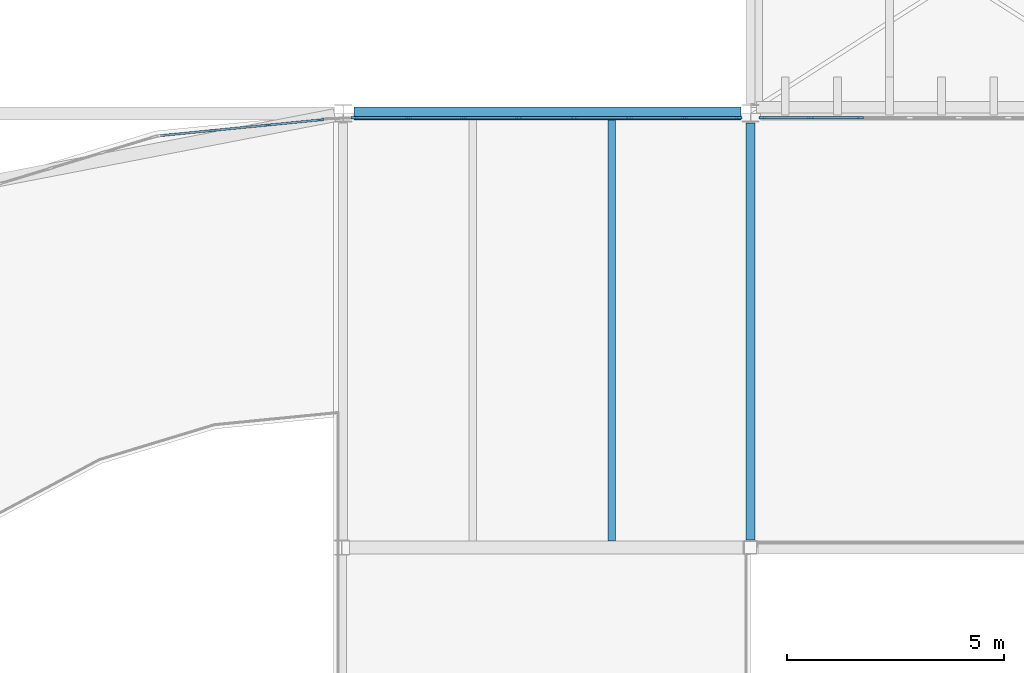
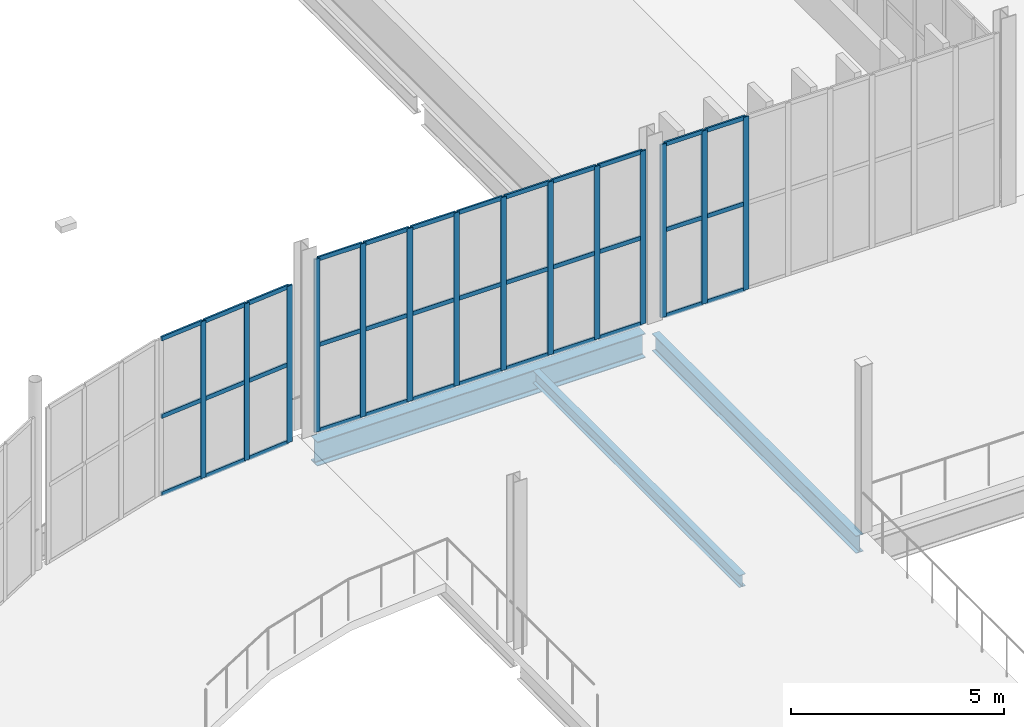
# One storey, part 41 of 112: 50 members, 3 beams, 3 elements without a shape of their own.
"""IFC4 building model written with IfcOpenShell, lengths in metres."""

import ifcopenshell
import ifcopenshell.guid

model = None  # the IFC model being written
_history = None  # IfcOwnerHistory: only IFC2X3 demands one
_inside = {}  # id of a spatial element -> (the spatial element, [elements in it])
_under = {}  # id of a project, library or spatial element -> (it, [spatial elements below it])
_declared = {}  # id of a project -> (the project, [libraries it declares])
_typed = {}  # id of a type object -> (the type object, [elements of that type])
_made_of = {}  # id of a material, layer set ... -> (it, [elements and type objects made of it])


def new_model(schema):
    """Start an empty IFC model of exactly this schema.

    Asked for "IFC4X3", IfcOpenShell would pick the latest addendum, in which some entities
    have other attributes; the version numbers below select the first issue.
    IFC2X3 requires an IfcOwnerHistory on every rooted entity: one is made here for all.
    """
    global model, _history
    if schema == "IFC4X3":
        model = ifcopenshell.file(schema_version=(4, 3, 0, 0))
    else:
        model = ifcopenshell.file(schema=schema)
    _inside.clear()
    _under.clear()
    _declared.clear()
    _typed.clear()
    _made_of.clear()
    _history = None
    if model.schema == "IFC2X3":
        org = make("IfcOrganization", Name="unknown")
        user = make(
            "IfcPersonAndOrganization",
            ThePerson=make("IfcPerson", FamilyName="unknown"),
            TheOrganization=org,
        )
        app = make(
            "IfcApplication",
            ApplicationDeveloper=org,
            Version="unknown",
            ApplicationFullName="unknown",
            ApplicationIdentifier="unknown",
        )
        _history = make(
            "IfcOwnerHistory",
            OwningUser=user,
            OwningApplication=app,
            ChangeAction="ADDED",
            CreationDate=0,
        )
    return model


def make(cls, **values):
    """One entity of the class cls with the attributes given. An attribute that is None is left unset."""
    return model.create_entity(
        cls, **{name: value for name, value in values.items() if value is not None}
    )


def rooted(cls, **values):
    """An entity with a GlobalId (a new one), such as an element, a storey or a relation."""
    return make(cls, GlobalId=ifcopenshell.guid.new(), OwnerHistory=_history, **values)


def si_unit(unit_type, name, prefix=None):
    """IfcSIUnit, for example si_unit("LENGTHUNIT", "METRE", prefix="MILLI")."""
    return make("IfcSIUnit", UnitType=unit_type, Prefix=prefix, Name=name)


def assignment(units):
    """IfcUnitAssignment: the units of a project."""
    return None if units is None else make("IfcUnitAssignment", Units=units)


def point(xyz):
    """IfcCartesianPoint."""
    return None if xyz is None else make("IfcCartesianPoint", Coordinates=xyz)


def direction(xyz):
    """IfcDirection."""
    return None if xyz is None else make("IfcDirection", DirectionRatios=xyz)


def frame(location, z_axis=None, x_axis=None):
    """IfcAxis2Placement3D, a coordinate frame: its origin and axes. An axis left out is left unset."""
    return make(
        "IfcAxis2Placement3D",
        Location=point(location),
        Axis=direction(z_axis),
        RefDirection=direction(x_axis),
    )


def frame_2d(location, x_axis=None):
    """IfcAxis2Placement2D, a coordinate frame in the plane: its origin and x axis."""
    return make(
        "IfcAxis2Placement2D", Location=point(location), RefDirection=direction(x_axis)
    )


def origin():
    """The frame at (0, 0, 0) with its axes left unset."""
    return frame((0.0, 0.0, 0.0))


def origin_2d():
    """The frame at (0, 0) in the plane with its x axis left unset."""
    return frame_2d((0.0, 0.0))


def place(relative_to, where):
    """IfcLocalPlacement: puts the frame where relative to a parent placement (None: the world)."""
    return make(
        "IfcLocalPlacement", PlacementRelTo=relative_to, RelativePlacement=where
    )


def context(
    kind, dimensions, precision=None, world=None, true_north=None, identifier=None
):
    """IfcGeometricRepresentationContext, for example the 3D "Model" context."""
    return make(
        "IfcGeometricRepresentationContext",
        ContextIdentifier=identifier,
        ContextType=kind,
        CoordinateSpaceDimension=dimensions,
        Precision=precision,
        WorldCoordinateSystem=world,
        TrueNorth=true_north,
    )


def subcontext(parent, identifier, kind, view, scale=None):
    """IfcGeometricRepresentationSubContext, for example "Body" below "Model"."""
    return make(
        "IfcGeometricRepresentationSubContext",
        ContextIdentifier=identifier,
        ContextType=kind,
        ParentContext=parent,
        TargetScale=scale,
        TargetView=view,
    )


def project(units=None, contexts=None):
    """IfcProject with its units and contexts."""
    return rooted(
        "IfcProject",
        Name="project",
        RepresentationContexts=contexts,
        UnitsInContext=assignment(units),
    )


def spatial(cls, under=None, at=None, **own):
    """A site, building, storey or space (cls), placed at a placement, below another one or the project."""
    s = rooted(cls, ObjectPlacement=at, **own)
    if under is not None:
        _under.setdefault(under.id(), (under, []))[1].append(s)
    return s


def profile(cls, at=None, kind="AREA", **sizes):
    """A parametric profile (cls). Its sizes go by their IFC names, for example OverallWidth=200.0."""
    return make(cls, ProfileType=kind, Position=at, **sizes)


def rectangle(**sizes):
    """IfcRectangleProfileDef."""
    return profile("IfcRectangleProfileDef", **sizes)


def i_section(**sizes):
    """IfcIShapeProfileDef."""
    return profile("IfcIShapeProfileDef", **sizes)


def extrude(swept, where, along, depth):
    """IfcExtrudedAreaSolid: the profile swept, set in the frame where, extruded along a direction by depth."""
    return make(
        "IfcExtrudedAreaSolid",
        SweptArea=swept,
        Position=where,
        ExtrudedDirection=direction(along),
        Depth=depth,
    )


def shape(context_of_items, identifier, shape_type, items):
    """IfcShapeRepresentation: the items that make up one representation, for example the "Body"."""
    return make(
        "IfcShapeRepresentation",
        ContextOfItems=context_of_items,
        RepresentationIdentifier=identifier,
        RepresentationType=shape_type,
        Items=items,
    )


def material(Name=None, Category=None):
    """IfcMaterial."""
    return make("IfcMaterial", Name=Name, Category=Category)


def layer(
    of_material, thickness, ventilated=None, Name=None, Category=None, Priority=None
):
    """IfcMaterialLayer: one layer of a wall or slab, of a material (None: an air gap)."""
    return make(
        "IfcMaterialLayer",
        Material=of_material,
        LayerThickness=thickness,
        IsVentilated=ventilated,
        Name=Name,
        Category=Category,
        Priority=Priority,
    )


def layer_set(layers, Name=None):
    """IfcMaterialLayerSet."""
    return make("IfcMaterialLayerSet", MaterialLayers=layers, LayerSetName=Name)


def material_profile(
    of_material, cross_section, Name=None, Category=None, Priority=None
):
    """IfcMaterialProfile: a cross section and its material."""
    return make(
        "IfcMaterialProfile",
        Name=Name,
        Material=of_material,
        Profile=cross_section,
        Priority=Priority,
        Category=Category,
    )


def profile_set(profiles, Name=None, composite=None):
    """IfcMaterialProfileSet."""
    return make(
        "IfcMaterialProfileSet",
        Name=Name,
        MaterialProfiles=profiles,
        CompositeProfile=composite,
    )


def made_of(thing, what):
    """Note that an element or type object is made of a material, layer set ...; save() writes the relation."""
    if what is not None:
        _made_of.setdefault(what.id(), (what, []))[1].append(thing)
    return thing


def type_object(cls, material=None, **own):
    """A type object (cls), such as IfcWallType, which elements share."""
    return made_of(rooted(cls, **own), material)


def element(
    cls,
    number,
    at=None,
    inside=None,
    cuts=None,
    type_object=None,
    material=None,
    context=None,
    identifier="Body",
    shape_type=None,
    held_by="IfcProductDefinitionShape",
    body=None,
    shapes=None,
    **own,
):
    """One element of the class cls, such as IfcWall. Its Tag is "e" and its number.

    at: its placement. inside: the storey or other place that contains it. cuts: it is an
    opening in that element (IfcRelVoidsElement). A single representation is given by context,
    identifier, shape_type and body (its items); several are given by shapes. held_by: the class
    of the entity that holds the representations. save() writes the other relations.
    """
    e = rooted(cls, Tag="e%d" % number, ObjectPlacement=at, **own)
    if body is not None:
        shapes = [shape(context, identifier, shape_type, body)]
    if shapes is not None:
        e.Representation = make(held_by, Representations=shapes)
    if inside is not None:
        _inside.setdefault(inside.id(), (inside, []))[1].append(e)
    if cuts is not None:
        rooted(
            "IfcRelVoidsElement", RelatingBuildingElement=cuts, RelatedOpeningElement=e
        )
    if type_object is not None:
        _typed.setdefault(type_object.id(), (type_object, []))[1].append(e)
    return made_of(e, material)


def aggregate(whole, parts):
    """IfcRelAggregates: a whole, such as a stair, and the parts it consists of."""
    return rooted("IfcRelAggregates", RelatingObject=whole, RelatedObjects=parts)


def save(model, path):
    """Write the relations noted so far, then the file.

    IfcRelAggregates (storeys below a building ...), IfcRelContainedInSpatialStructure (elements
    in a storey), IfcRelDefinesByType, IfcRelAssociatesMaterial and IfcRelDeclares: one each for
    every whole, place, type object, material and project.
    """
    for whole, parts in _under.values():
        aggregate(whole, parts)
    for where, things in _inside.values():
        rooted(
            "IfcRelContainedInSpatialStructure",
            RelatedElements=things,
            RelatingStructure=where,
        )
    for kind, things in _typed.values():
        rooted("IfcRelDefinesByType", RelatedObjects=things, RelatingType=kind)
    for what, things in _made_of.values():
        rooted("IfcRelAssociatesMaterial", RelatedObjects=things, RelatingMaterial=what)
    for by, libraries in _declared.values():
        rooted("IfcRelDeclares", RelatingContext=by, RelatedDefinitions=libraries)
    model.write(path)


model = new_model("IFC4")

# Units and contexts
model_context = context("Model", 3, precision=1e-05, world=origin(), true_north=direction((0.0, 1.0)))
body_context = subcontext(model_context, "Body", "Model", "MODEL_VIEW")
ifc_project = project(units=[si_unit("LENGTHUNIT", "METRE"), si_unit("AREAUNIT", "SQUARE_METRE"), si_unit("VOLUMEUNIT", "CUBIC_METRE"), si_unit("PLANEANGLEUNIT", "RADIAN"), si_unit("MASSUNIT", "GRAM", prefix="KILO")], contexts=[model_context])

# Site, building, storey
site_placement = place(None, origin())
site = spatial("IfcSite", under=ifc_project, at=site_placement, CompositionType="ELEMENT")
building_placement = place(site_placement, origin())
building = spatial("IfcBuilding", under=site, at=building_placement, Name="Yeouljin Market Hall", CompositionType="ELEMENT")
storey_placement = place(building_placement, frame((0.0, 0.0, 6.0)))
storey = spatial("IfcBuildingStorey", under=building, at=storey_placement, Name="L01", CompositionType="ELEMENT", Elevation=6.0)

# Beam
ifc_material_1 = material(Name="Steel SM355", Category="steel")
ifc_material_profile_1 = material_profile(ifc_material_1, i_section(OverallWidth=0.199951171875, OverallDepth=0.5, WebThickness=0.010009765625, FlangeThickness=0.01611328125, FilletRadius=0.02001953125, at=origin_2d()), Name="H-500x200x10x16")
ifc_profile_set_1 = profile_set([ifc_material_profile_1], Name="Steel SM355")
beam_type_1 = type_object("IfcBeamType", Name="Beam_H-500x200x10x16", PredefinedType="BEAM", material=ifc_profile_set_1)
beam_1_placement = place(storey_placement, frame((45.0, 68.175048828125, -0.52001953125), z_axis=(0.0, 1.0, 0.0), x_axis=(-1.0, 0.0, 0.0)))
element("IfcBeam", 1, at=beam_1_placement, inside=storey, type_object=beam_type_1, Name="Primary beam BM-L01-Y157", PredefinedType="BEAM", context=body_context, shape_type="SweptSolid", body=[
    extrude(i_section(OverallWidth=0.199951171875, OverallDepth=0.5, WebThickness=0.010009765625, FlangeThickness=0.01611328125, FilletRadius=0.02001953125, at=origin_2d()), origin(), (0.0, 0.0, 1.0), 9.599853515625),
])

# Curtain wall, members
ifc_material_2 = material(Name="Thermally Broken Aluminium", Category="aluminium")
ifc_layer_1 = layer(ifc_material_2, 0.159912109375)
ifc_layer_set_1 = layer_set([ifc_layer_1], Name="Thermally Broken Aluminium")
curtain_wall_type_1 = type_object("IfcCurtainWallType", Name="CW_HallClerestory_System", PredefinedType="USERDEFINED", material=ifc_layer_set_1)
curtain_wall_1_placement = place(storey_placement, origin())
curtain_wall_1 = element("IfcCurtainWall", 2, at=curtain_wall_1_placement, inside=storey, type_object=curtain_wall_type_1, Name="Curtain wall CW-V1N-UP-01", ObjectType="CURTAIN WALL", PredefinedType="USERDEFINED")
ifc_material_3 = material(Name="Thermally Broken Aluminium", Category="aluminium")
ifc_material_profile_2 = material_profile(ifc_material_3, rectangle(XDim=0.048095703125, YDim=0.14990234375, at=origin_2d()), Name="CW-MULL-48x150")
ifc_profile_set_2 = profile_set([ifc_material_profile_2], Name="Thermally Broken Aluminium")
member_type_1 = type_object("IfcMemberType", Name="CWMullion_48x150", PredefinedType="MULLION", material=ifc_profile_set_2)
member_1_placement = place(storey_placement, frame((35.8740234375, 77.89990234375, 0.0), z_axis=(0.0, 0.0, 1.0), x_axis=(0.0, 1.0, 0.0)))
member_1 = element("IfcMember", 3, at=member_1_placement, type_object=member_type_1, Name="CW-02 mullion 1", PredefinedType="MULLION", context=body_context, shape_type="SweptSolid", body=[
    extrude(rectangle(XDim=0.048095703125, YDim=0.14990234375, at=origin_2d()), origin(), (0.0, 0.0, 1.0), 4.969970703125),
])
member_2_placement = place(storey_placement, frame((37.121337890625, 77.89990234375, 0.0), z_axis=(0.0, 0.0, 1.0), x_axis=(0.0, 1.0, 0.0)))
member_2 = element("IfcMember", 4, at=member_2_placement, type_object=member_type_1, Name="CW-02 mullion 2", PredefinedType="MULLION", context=body_context, shape_type="SweptSolid", body=[
    extrude(rectangle(XDim=0.048095703125, YDim=0.14990234375, at=origin_2d()), origin(), (0.0, 0.0, 1.0), 4.969970703125),
])
member_3_placement = place(storey_placement, frame((38.392822265625, 77.89990234375, 0.0), z_axis=(0.0, 0.0, 1.0), x_axis=(0.0, 1.0, 0.0)))
member_3 = element("IfcMember", 5, at=member_3_placement, type_object=member_type_1, Name="CW-02 mullion 3", PredefinedType="MULLION", context=body_context, shape_type="SweptSolid", body=[
    extrude(rectangle(XDim=0.048095703125, YDim=0.14990234375, at=origin_2d()), origin(), (0.0, 0.0, 1.0), 4.969970703125),
])
member_4_placement = place(storey_placement, frame((39.664306640625, 77.89990234375, 0.0), z_axis=(0.0, 0.0, 1.0), x_axis=(0.0, 1.0, 0.0)))
member_4 = element("IfcMember", 6, at=member_4_placement, type_object=member_type_1, Name="CW-02 mullion 4", PredefinedType="MULLION", context=body_context, shape_type="SweptSolid", body=[
    extrude(rectangle(XDim=0.048095703125, YDim=0.14990234375, at=origin_2d()), origin(), (0.0, 0.0, 1.0), 4.969970703125),
])
member_5_placement = place(storey_placement, frame((40.935791015625, 77.89990234375, 0.0), z_axis=(0.0, 0.0, 1.0), x_axis=(0.0, 1.0, 0.0)))
member_5 = element("IfcMember", 7, at=member_5_placement, type_object=member_type_1, Name="CW-02 mullion 5", PredefinedType="MULLION", context=body_context, shape_type="SweptSolid", body=[
    extrude(rectangle(XDim=0.048095703125, YDim=0.14990234375, at=origin_2d()), origin(), (0.0, 0.0, 1.0), 4.969970703125),
])
member_6_placement = place(storey_placement, frame((42.20703125, 77.89990234375, 0.0), z_axis=(0.0, 0.0, 1.0), x_axis=(0.0, 1.0, 0.0)))
member_6 = element("IfcMember", 8, at=member_6_placement, type_object=member_type_1, Name="CW-02 mullion 6", PredefinedType="MULLION", context=body_context, shape_type="SweptSolid", body=[
    extrude(rectangle(XDim=0.048095703125, YDim=0.14990234375, at=origin_2d()), origin(), (0.0, 0.0, 1.0), 4.969970703125),
])
member_7_placement = place(storey_placement, frame((43.478515625, 77.89990234375, 0.0), z_axis=(0.0, 0.0, 1.0), x_axis=(0.0, 1.0, 0.0)))
member_7 = element("IfcMember", 9, at=member_7_placement, type_object=member_type_1, Name="CW-02 mullion 7", PredefinedType="MULLION", context=body_context, shape_type="SweptSolid", body=[
    extrude(rectangle(XDim=0.048095703125, YDim=0.14990234375, at=origin_2d()), origin(), (0.0, 0.0, 1.0), 4.969970703125),
])
member_8_placement = place(storey_placement, frame((44.72607421875, 77.89990234375, 0.0), z_axis=(0.0, 0.0, 1.0), x_axis=(0.0, 1.0, 0.0)))
member_8 = element("IfcMember", 10, at=member_8_placement, type_object=member_type_1, Name="CW-02 mullion 8", PredefinedType="MULLION", context=body_context, shape_type="SweptSolid", body=[
    extrude(rectangle(XDim=0.048095703125, YDim=0.14990234375, at=origin_2d()), origin(), (0.0, 0.0, 1.0), 4.969970703125),
])

curtain_wall_2_placement = place(storey_placement, origin())
curtain_wall_2 = element("IfcCurtainWall", 11, at=curtain_wall_2_placement, inside=storey, type_object=curtain_wall_type_1, Name="Curtain wall CW-V1N-UP-02", ObjectType="CURTAIN WALL", PredefinedType="USERDEFINED")
member_9_placement = place(storey_placement, frame((45.27392578125, 77.89990234375, 0.0), z_axis=(0.0, 0.0, 1.0), x_axis=(0.0, 1.0, 0.0)))
member_9 = element("IfcMember", 12, at=member_9_placement, type_object=member_type_1, Name="CW-02 mullion 1", PredefinedType="MULLION", context=body_context, shape_type="SweptSolid", body=[
    extrude(rectangle(XDim=0.048095703125, YDim=0.14990234375, at=origin_2d()), origin(), (0.0, 0.0, 1.0), 4.969970703125),
])
member_10_placement = place(storey_placement, frame((46.387451171875, 77.89990234375, 0.0), z_axis=(0.0, 0.0, 1.0), x_axis=(0.0, 1.0, 0.0)))
member_10 = element("IfcMember", 13, at=member_10_placement, type_object=member_type_1, Name="CW-02 mullion 2", PredefinedType="MULLION", context=body_context, shape_type="SweptSolid", body=[
    extrude(rectangle(XDim=0.048095703125, YDim=0.14990234375, at=origin_2d()), origin(), (0.0, 0.0, 1.0), 4.969970703125),
])
member_11_placement = place(storey_placement, frame((47.52490234375, 77.89990234375, 0.0), z_axis=(0.0, 0.0, 1.0), x_axis=(0.0, 1.0, 0.0)))
member_11 = element("IfcMember", 14, at=member_11_placement, type_object=member_type_1, Name="CW-02 mullion 3", PredefinedType="MULLION", context=body_context, shape_type="SweptSolid", body=[
    extrude(rectangle(XDim=0.048095703125, YDim=0.14990234375, at=origin_2d()), origin(), (0.0, 0.0, 1.0), 4.969970703125),
])

ifc_material_4 = material(Name="Thermally Broken Aluminium", Category="aluminium")
ifc_layer_2 = layer(ifc_material_4, 0.179931640625)
ifc_layer_set_2 = layer_set([ifc_layer_2], Name="Thermally Broken Aluminium")
curtain_wall_type_2 = type_object("IfcCurtainWallType", Name="CW_ApseCurved_System", PredefinedType="USERDEFINED", material=ifc_layer_set_2)
curtain_wall_3_placement = place(storey_placement, origin())
curtain_wall_3 = element("IfcCurtainWall", 15, at=curtain_wall_3_placement, inside=storey, type_object=curtain_wall_type_2, Name="Curtain wall CW-AP-WL01-16", ObjectType="CURTAIN WALL", PredefinedType="USERDEFINED")
member_12_placement = place(storey_placement, frame((32.617919921875, 77.60595703125, 0.0), z_axis=(0.0, 0.0, 1.0), x_axis=(-0.09803414403, 0.995183051807, 0.0)))
member_12 = element("IfcMember", 16, at=member_12_placement, type_object=member_type_1, Name="CW-03 mullion 2", PredefinedType="MULLION", context=body_context, shape_type="SweptSolid", body=[
    extrude(rectangle(XDim=0.048095703125, YDim=0.14990234375, at=origin_2d()), origin(), (0.0, 0.0, 1.0), 4.5),
])
member_13_placement = place(storey_placement, frame((33.86962890625, 77.729248046875, 0.0), z_axis=(0.0, 0.0, 1.0), x_axis=(-0.09803414403, 0.995183051807, 0.0)))
member_13 = element("IfcMember", 17, at=member_13_placement, type_object=member_type_1, Name="CW-03 mullion 3", PredefinedType="MULLION", context=body_context, shape_type="SweptSolid", body=[
    extrude(rectangle(XDim=0.048095703125, YDim=0.14990234375, at=origin_2d()), origin(), (0.0, 0.0, 1.0), 4.5),
])
member_14_placement = place(storey_placement, frame((35.097412109375, 77.850341796875, 0.0), z_axis=(0.0, 0.0, 1.0), x_axis=(-0.09803414403, 0.995183051807, 0.0)))
member_14 = element("IfcMember", 18, at=member_14_placement, type_object=member_type_1, Name="CW-03 mullion 4", PredefinedType="MULLION", context=body_context, shape_type="SweptSolid", body=[
    extrude(rectangle(XDim=0.048095703125, YDim=0.14990234375, at=origin_2d()), origin(), (0.0, 0.0, 1.0), 4.5),
])

# Member
ifc_material_5 = material(Name="Thermally Broken Aluminium", Category="aluminium")
ifc_material_profile_3 = material_profile(ifc_material_5, rectangle(XDim=0.048095703125, YDim=0.1201171875, at=origin_2d()), Name="CW-TRAN-48x120")
ifc_profile_set_3 = profile_set([ifc_material_profile_3], Name="Thermally Broken Aluminium")
member_type_2 = type_object("IfcMemberType", Name="CWTransom_48x120", PredefinedType="USERDEFINED", material=ifc_profile_set_3)
member_15_placement = place(storey_placement, frame((35.89794921875, 77.89990234375, 0.02392578125), z_axis=(1.0, 0.0, 0.0), x_axis=(0.0, 1.0, 0.0)))
member_15 = element("IfcMember", 19, at=member_15_placement, type_object=member_type_2, Name="CW-02 transom 1.1", ObjectType="TRANSOM", PredefinedType="USERDEFINED", context=body_context, shape_type="SweptSolid", body=[
    extrude(rectangle(XDim=0.048095703125, YDim=0.1201171875, at=origin_2d()), origin(), (0.0, 0.0, 1.0), 1.199462890625),
])

member_16_placement = place(storey_placement, frame((35.89794921875, 77.89990234375, 2.485107421875), z_axis=(1.0, 0.0, 0.0), x_axis=(0.0, 1.0, 0.0)))
member_16 = element("IfcMember", 20, at=member_16_placement, type_object=member_type_2, Name="CW-02 transom 1.2", ObjectType="TRANSOM", PredefinedType="USERDEFINED", context=body_context, shape_type="SweptSolid", body=[
    extrude(rectangle(XDim=0.048095703125, YDim=0.1201171875, at=origin_2d()), origin(), (0.0, 0.0, 1.0), 1.199462890625),
])

member_17_placement = place(storey_placement, frame((35.89794921875, 77.89990234375, 4.946044921875), z_axis=(1.0, 0.0, 0.0), x_axis=(0.0, 1.0, 0.0)))
member_17 = element("IfcMember", 21, at=member_17_placement, type_object=member_type_2, Name="CW-02 transom 1.3", ObjectType="TRANSOM", PredefinedType="USERDEFINED", context=body_context, shape_type="SweptSolid", body=[
    extrude(rectangle(XDim=0.048095703125, YDim=0.1201171875, at=origin_2d()), origin(), (0.0, 0.0, 1.0), 1.199462890625),
])

member_18_placement = place(storey_placement, frame((37.1455078125, 77.89990234375, 0.02392578125), z_axis=(1.0, 0.0, 0.0), x_axis=(0.0, 1.0, 0.0)))
member_18 = element("IfcMember", 22, at=member_18_placement, type_object=member_type_2, Name="CW-02 transom 2.1", ObjectType="TRANSOM", PredefinedType="USERDEFINED", context=body_context, shape_type="SweptSolid", body=[
    extrude(rectangle(XDim=0.048095703125, YDim=0.1201171875, at=origin_2d()), origin(), (0.0, 0.0, 1.0), 1.223388671875),
])

member_19_placement = place(storey_placement, frame((37.1455078125, 77.89990234375, 2.485107421875), z_axis=(1.0, 0.0, 0.0), x_axis=(0.0, 1.0, 0.0)))
member_19 = element("IfcMember", 23, at=member_19_placement, type_object=member_type_2, Name="CW-02 transom 2.2", ObjectType="TRANSOM", PredefinedType="USERDEFINED", context=body_context, shape_type="SweptSolid", body=[
    extrude(rectangle(XDim=0.048095703125, YDim=0.1201171875, at=origin_2d()), origin(), (0.0, 0.0, 1.0), 1.223388671875),
])

member_20_placement = place(storey_placement, frame((37.1455078125, 77.89990234375, 4.946044921875), z_axis=(1.0, 0.0, 0.0), x_axis=(0.0, 1.0, 0.0)))
member_20 = element("IfcMember", 24, at=member_20_placement, type_object=member_type_2, Name="CW-02 transom 2.3", ObjectType="TRANSOM", PredefinedType="USERDEFINED", context=body_context, shape_type="SweptSolid", body=[
    extrude(rectangle(XDim=0.048095703125, YDim=0.1201171875, at=origin_2d()), origin(), (0.0, 0.0, 1.0), 1.223388671875),
])

member_21_placement = place(storey_placement, frame((38.416748046875, 77.89990234375, 0.02392578125), z_axis=(1.0, 0.0, 0.0), x_axis=(0.0, 1.0, 0.0)))
member_21 = element("IfcMember", 25, at=member_21_placement, type_object=member_type_2, Name="CW-02 transom 3.1", ObjectType="TRANSOM", PredefinedType="USERDEFINED", context=body_context, shape_type="SweptSolid", body=[
    extrude(rectangle(XDim=0.048095703125, YDim=0.1201171875, at=origin_2d()), origin(), (0.0, 0.0, 1.0), 1.2236328125),
])

member_22_placement = place(storey_placement, frame((38.416748046875, 77.89990234375, 2.485107421875), z_axis=(1.0, 0.0, 0.0), x_axis=(0.0, 1.0, 0.0)))
member_22 = element("IfcMember", 26, at=member_22_placement, type_object=member_type_2, Name="CW-02 transom 3.2", ObjectType="TRANSOM", PredefinedType="USERDEFINED", context=body_context, shape_type="SweptSolid", body=[
    extrude(rectangle(XDim=0.048095703125, YDim=0.1201171875, at=origin_2d()), origin(), (0.0, 0.0, 1.0), 1.2236328125),
])

member_23_placement = place(storey_placement, frame((38.416748046875, 77.89990234375, 4.946044921875), z_axis=(1.0, 0.0, 0.0), x_axis=(0.0, 1.0, 0.0)))
member_23 = element("IfcMember", 27, at=member_23_placement, type_object=member_type_2, Name="CW-02 transom 3.3", ObjectType="TRANSOM", PredefinedType="USERDEFINED", context=body_context, shape_type="SweptSolid", body=[
    extrude(rectangle(XDim=0.048095703125, YDim=0.1201171875, at=origin_2d()), origin(), (0.0, 0.0, 1.0), 1.2236328125),
])

member_24_placement = place(storey_placement, frame((39.688232421875, 77.89990234375, 0.02392578125), z_axis=(1.0, 0.0, 0.0), x_axis=(0.0, 1.0, 0.0)))
member_24 = element("IfcMember", 28, at=member_24_placement, type_object=member_type_2, Name="CW-02 transom 4.1", ObjectType="TRANSOM", PredefinedType="USERDEFINED", context=body_context, shape_type="SweptSolid", body=[
    extrude(rectangle(XDim=0.048095703125, YDim=0.1201171875, at=origin_2d()), origin(), (0.0, 0.0, 1.0), 1.223388671875),
])

member_25_placement = place(storey_placement, frame((39.688232421875, 77.89990234375, 2.485107421875), z_axis=(1.0, 0.0, 0.0), x_axis=(0.0, 1.0, 0.0)))
member_25 = element("IfcMember", 29, at=member_25_placement, type_object=member_type_2, Name="CW-02 transom 4.2", ObjectType="TRANSOM", PredefinedType="USERDEFINED", context=body_context, shape_type="SweptSolid", body=[
    extrude(rectangle(XDim=0.048095703125, YDim=0.1201171875, at=origin_2d()), origin(), (0.0, 0.0, 1.0), 1.223388671875),
])

member_26_placement = place(storey_placement, frame((39.688232421875, 77.89990234375, 4.946044921875), z_axis=(1.0, 0.0, 0.0), x_axis=(0.0, 1.0, 0.0)))
member_26 = element("IfcMember", 30, at=member_26_placement, type_object=member_type_2, Name="CW-02 transom 4.3", ObjectType="TRANSOM", PredefinedType="USERDEFINED", context=body_context, shape_type="SweptSolid", body=[
    extrude(rectangle(XDim=0.048095703125, YDim=0.1201171875, at=origin_2d()), origin(), (0.0, 0.0, 1.0), 1.223388671875),
])

member_27_placement = place(storey_placement, frame((40.959716796875, 77.89990234375, 0.02392578125), z_axis=(1.0, 0.0, 0.0), x_axis=(0.0, 1.0, 0.0)))
member_27 = element("IfcMember", 31, at=member_27_placement, type_object=member_type_2, Name="CW-02 transom 5.1", ObjectType="TRANSOM", PredefinedType="USERDEFINED", context=body_context, shape_type="SweptSolid", body=[
    extrude(rectangle(XDim=0.048095703125, YDim=0.1201171875, at=origin_2d()), origin(), (0.0, 0.0, 1.0), 1.223388671875),
])

member_28_placement = place(storey_placement, frame((40.959716796875, 77.89990234375, 2.485107421875), z_axis=(1.0, 0.0, 0.0), x_axis=(0.0, 1.0, 0.0)))
member_28 = element("IfcMember", 32, at=member_28_placement, type_object=member_type_2, Name="CW-02 transom 5.2", ObjectType="TRANSOM", PredefinedType="USERDEFINED", context=body_context, shape_type="SweptSolid", body=[
    extrude(rectangle(XDim=0.048095703125, YDim=0.1201171875, at=origin_2d()), origin(), (0.0, 0.0, 1.0), 1.223388671875),
])

member_29_placement = place(storey_placement, frame((40.959716796875, 77.89990234375, 4.946044921875), z_axis=(1.0, 0.0, 0.0), x_axis=(0.0, 1.0, 0.0)))
member_29 = element("IfcMember", 33, at=member_29_placement, type_object=member_type_2, Name="CW-02 transom 5.3", ObjectType="TRANSOM", PredefinedType="USERDEFINED", context=body_context, shape_type="SweptSolid", body=[
    extrude(rectangle(XDim=0.048095703125, YDim=0.1201171875, at=origin_2d()), origin(), (0.0, 0.0, 1.0), 1.223388671875),
])

member_30_placement = place(storey_placement, frame((42.231201171875, 77.89990234375, 0.02392578125), z_axis=(1.0, 0.0, 0.0), x_axis=(0.0, 1.0, 0.0)))
member_30 = element("IfcMember", 34, at=member_30_placement, type_object=member_type_2, Name="CW-02 transom 6.1", ObjectType="TRANSOM", PredefinedType="USERDEFINED", context=body_context, shape_type="SweptSolid", body=[
    extrude(rectangle(XDim=0.048095703125, YDim=0.1201171875, at=origin_2d()), origin(), (0.0, 0.0, 1.0), 1.223388671875),
])

member_31_placement = place(storey_placement, frame((42.231201171875, 77.89990234375, 2.485107421875), z_axis=(1.0, 0.0, 0.0), x_axis=(0.0, 1.0, 0.0)))
member_31 = element("IfcMember", 35, at=member_31_placement, type_object=member_type_2, Name="CW-02 transom 6.2", ObjectType="TRANSOM", PredefinedType="USERDEFINED", context=body_context, shape_type="SweptSolid", body=[
    extrude(rectangle(XDim=0.048095703125, YDim=0.1201171875, at=origin_2d()), origin(), (0.0, 0.0, 1.0), 1.223388671875),
])

member_32_placement = place(storey_placement, frame((42.231201171875, 77.89990234375, 4.946044921875), z_axis=(1.0, 0.0, 0.0), x_axis=(0.0, 1.0, 0.0)))
member_32 = element("IfcMember", 36, at=member_32_placement, type_object=member_type_2, Name="CW-02 transom 6.3", ObjectType="TRANSOM", PredefinedType="USERDEFINED", context=body_context, shape_type="SweptSolid", body=[
    extrude(rectangle(XDim=0.048095703125, YDim=0.1201171875, at=origin_2d()), origin(), (0.0, 0.0, 1.0), 1.223388671875),
])

member_33_placement = place(storey_placement, frame((43.502685546875, 77.89990234375, 0.02392578125), z_axis=(1.0, 0.0, 0.0), x_axis=(0.0, 1.0, 0.0)))
member_33 = element("IfcMember", 37, at=member_33_placement, type_object=member_type_2, Name="CW-02 transom 7.1", ObjectType="TRANSOM", PredefinedType="USERDEFINED", context=body_context, shape_type="SweptSolid", body=[
    extrude(rectangle(XDim=0.048095703125, YDim=0.1201171875, at=origin_2d()), origin(), (0.0, 0.0, 1.0), 1.19921875),
])

member_34_placement = place(storey_placement, frame((43.502685546875, 77.89990234375, 2.485107421875), z_axis=(1.0, 0.0, 0.0), x_axis=(0.0, 1.0, 0.0)))
member_34 = element("IfcMember", 38, at=member_34_placement, type_object=member_type_2, Name="CW-02 transom 7.2", ObjectType="TRANSOM", PredefinedType="USERDEFINED", context=body_context, shape_type="SweptSolid", body=[
    extrude(rectangle(XDim=0.048095703125, YDim=0.1201171875, at=origin_2d()), origin(), (0.0, 0.0, 1.0), 1.19921875),
])

member_35_placement = place(storey_placement, frame((43.502685546875, 77.89990234375, 4.946044921875), z_axis=(1.0, 0.0, 0.0), x_axis=(0.0, 1.0, 0.0)))
member_35 = element("IfcMember", 39, at=member_35_placement, type_object=member_type_2, Name="CW-02 transom 7.3", ObjectType="TRANSOM", PredefinedType="USERDEFINED", context=body_context, shape_type="SweptSolid", body=[
    extrude(rectangle(XDim=0.048095703125, YDim=0.1201171875, at=origin_2d()), origin(), (0.0, 0.0, 1.0), 1.19921875),
])

aggregate(curtain_wall_1, [member_1, member_2, member_3, member_4, member_5, member_6, member_7, member_8, member_15, member_16, member_17, member_18, member_19, member_20, member_21, member_22, member_23, member_24, member_25, member_26, member_27, member_28, member_29, member_30, member_31, member_32, member_33, member_34, member_35])

member_36_placement = place(storey_placement, frame((45.298095703125, 77.89990234375, 0.02392578125), z_axis=(1.0, 0.0, 0.0), x_axis=(0.0, 1.0, 0.0)))
member_36 = element("IfcMember", 40, at=member_36_placement, type_object=member_type_2, Name="CW-02 transom 1.1", ObjectType="TRANSOM", PredefinedType="USERDEFINED", context=body_context, shape_type="SweptSolid", body=[
    extrude(rectangle(XDim=0.048095703125, YDim=0.1201171875, at=origin_2d()), origin(), (0.0, 0.0, 1.0), 1.0654296875),
])

member_37_placement = place(storey_placement, frame((45.298095703125, 77.89990234375, 2.485107421875), z_axis=(1.0, 0.0, 0.0), x_axis=(0.0, 1.0, 0.0)))
member_37 = element("IfcMember", 41, at=member_37_placement, type_object=member_type_2, Name="CW-02 transom 1.2", ObjectType="TRANSOM", PredefinedType="USERDEFINED", context=body_context, shape_type="SweptSolid", body=[
    extrude(rectangle(XDim=0.048095703125, YDim=0.1201171875, at=origin_2d()), origin(), (0.0, 0.0, 1.0), 1.0654296875),
])

member_38_placement = place(storey_placement, frame((45.298095703125, 77.89990234375, 4.946044921875), z_axis=(1.0, 0.0, 0.0), x_axis=(0.0, 1.0, 0.0)))
member_38 = element("IfcMember", 42, at=member_38_placement, type_object=member_type_2, Name="CW-02 transom 1.3", ObjectType="TRANSOM", PredefinedType="USERDEFINED", context=body_context, shape_type="SweptSolid", body=[
    extrude(rectangle(XDim=0.048095703125, YDim=0.1201171875, at=origin_2d()), origin(), (0.0, 0.0, 1.0), 1.0654296875),
])

member_39_placement = place(storey_placement, frame((46.41162109375, 77.89990234375, 0.02392578125), z_axis=(1.0, 0.0, 0.0), x_axis=(0.0, 1.0, 0.0)))
member_39 = element("IfcMember", 43, at=member_39_placement, type_object=member_type_2, Name="CW-02 transom 2.1", ObjectType="TRANSOM", PredefinedType="USERDEFINED", context=body_context, shape_type="SweptSolid", body=[
    extrude(rectangle(XDim=0.048095703125, YDim=0.1201171875, at=origin_2d()), origin(), (0.0, 0.0, 1.0), 1.08935546875),
])

member_40_placement = place(storey_placement, frame((46.41162109375, 77.89990234375, 2.485107421875), z_axis=(1.0, 0.0, 0.0), x_axis=(0.0, 1.0, 0.0)))
member_40 = element("IfcMember", 44, at=member_40_placement, type_object=member_type_2, Name="CW-02 transom 2.2", ObjectType="TRANSOM", PredefinedType="USERDEFINED", context=body_context, shape_type="SweptSolid", body=[
    extrude(rectangle(XDim=0.048095703125, YDim=0.1201171875, at=origin_2d()), origin(), (0.0, 0.0, 1.0), 1.08935546875),
])

member_41_placement = place(storey_placement, frame((46.41162109375, 77.89990234375, 4.946044921875), z_axis=(1.0, 0.0, 0.0), x_axis=(0.0, 1.0, 0.0)))
member_41 = element("IfcMember", 45, at=member_41_placement, type_object=member_type_2, Name="CW-02 transom 2.3", ObjectType="TRANSOM", PredefinedType="USERDEFINED", context=body_context, shape_type="SweptSolid", body=[
    extrude(rectangle(XDim=0.048095703125, YDim=0.1201171875, at=origin_2d()), origin(), (0.0, 0.0, 1.0), 1.08935546875),
])

aggregate(curtain_wall_2, [member_9, member_10, member_11, member_36, member_37, member_38, member_39, member_40, member_41])

member_42_placement = place(storey_placement, frame((31.4140625, 77.4873046875, 0.02392578125), z_axis=(0.995164800405, 0.098219244733, 0.0), x_axis=(-0.098219244733, 0.995164800405, 0.0)))
member_42 = element("IfcMember", 46, at=member_42_placement, type_object=member_type_2, Name="CW-03 transom 1.1", ObjectType="TRANSOM", PredefinedType="USERDEFINED", context=body_context, shape_type="SweptSolid", body=[
    extrude(rectangle(XDim=0.048095703125, YDim=0.1201171875, at=origin_2d()), origin(), (0.0, 0.0, 1.0), 1.185546875),
])

member_43_placement = place(storey_placement, frame((31.4140625, 77.4873046875, 2.25), z_axis=(0.995164800405, 0.098219244733, 0.0), x_axis=(-0.098219244733, 0.995164800405, 0.0)))
member_43 = element("IfcMember", 47, at=member_43_placement, type_object=member_type_2, Name="CW-03 transom 1.2", ObjectType="TRANSOM", PredefinedType="USERDEFINED", context=body_context, shape_type="SweptSolid", body=[
    extrude(rectangle(XDim=0.048095703125, YDim=0.1201171875, at=origin_2d()), origin(), (0.0, 0.0, 1.0), 1.185546875),
])

member_44_placement = place(storey_placement, frame((31.4140625, 77.4873046875, 4.47607421875), z_axis=(0.995164800405, 0.098219244733, 0.0), x_axis=(-0.098219244733, 0.995164800405, 0.0)))
member_44 = element("IfcMember", 48, at=member_44_placement, type_object=member_type_2, Name="CW-03 transom 1.3", ObjectType="TRANSOM", PredefinedType="USERDEFINED", context=body_context, shape_type="SweptSolid", body=[
    extrude(rectangle(XDim=0.048095703125, YDim=0.1201171875, at=origin_2d()), origin(), (0.0, 0.0, 1.0), 1.185546875),
])

member_45_placement = place(storey_placement, frame((32.641845703125, 77.6083984375, 0.02392578125), z_axis=(0.995178052762, 0.098084878045, 0.0), x_axis=(-0.098084878045, 0.995178052762, 0.0)))
member_45 = element("IfcMember", 49, at=member_45_placement, type_object=member_type_2, Name="CW-03 transom 2.1", ObjectType="TRANSOM", PredefinedType="USERDEFINED", context=body_context, shape_type="SweptSolid", body=[
    extrude(rectangle(XDim=0.048095703125, YDim=0.1201171875, at=origin_2d()), origin(), (0.0, 0.0, 1.0), 1.209716796875),
])

member_46_placement = place(storey_placement, frame((32.641845703125, 77.6083984375, 2.25), z_axis=(0.995178052762, 0.098084878045, 0.0), x_axis=(-0.098084878045, 0.995178052762, 0.0)))
member_46 = element("IfcMember", 50, at=member_46_placement, type_object=member_type_2, Name="CW-03 transom 2.2", ObjectType="TRANSOM", PredefinedType="USERDEFINED", context=body_context, shape_type="SweptSolid", body=[
    extrude(rectangle(XDim=0.048095703125, YDim=0.1201171875, at=origin_2d()), origin(), (0.0, 0.0, 1.0), 1.209716796875),
])

member_47_placement = place(storey_placement, frame((32.641845703125, 77.6083984375, 4.47607421875), z_axis=(0.995178052762, 0.098084878045, 0.0), x_axis=(-0.098084878045, 0.995178052762, 0.0)))
member_47 = element("IfcMember", 51, at=member_47_placement, type_object=member_type_2, Name="CW-03 transom 2.3", ObjectType="TRANSOM", PredefinedType="USERDEFINED", context=body_context, shape_type="SweptSolid", body=[
    extrude(rectangle(XDim=0.048095703125, YDim=0.1201171875, at=origin_2d()), origin(), (0.0, 0.0, 1.0), 1.209716796875),
])

member_48_placement = place(storey_placement, frame((33.8935546875, 77.731689453125, 0.02392578125), z_axis=(0.995184906489, 0.098015314606, 0.0), x_axis=(-0.098015314606, 0.995184906489, 0.0)))
member_48 = element("IfcMember", 52, at=member_48_placement, type_object=member_type_2, Name="CW-03 transom 3.1", ObjectType="TRANSOM", PredefinedType="USERDEFINED", context=body_context, shape_type="SweptSolid", body=[
    extrude(rectangle(XDim=0.048095703125, YDim=0.1201171875, at=origin_2d()), origin(), (0.0, 0.0, 1.0), 1.185546875),
])

member_49_placement = place(storey_placement, frame((33.8935546875, 77.731689453125, 2.25), z_axis=(0.995184906489, 0.098015314606, 0.0), x_axis=(-0.098015314606, 0.995184906489, 0.0)))
member_49 = element("IfcMember", 53, at=member_49_placement, type_object=member_type_2, Name="CW-03 transom 3.2", ObjectType="TRANSOM", PredefinedType="USERDEFINED", context=body_context, shape_type="SweptSolid", body=[
    extrude(rectangle(XDim=0.048095703125, YDim=0.1201171875, at=origin_2d()), origin(), (0.0, 0.0, 1.0), 1.185546875),
])

member_50_placement = place(storey_placement, frame((33.8935546875, 77.731689453125, 4.47607421875), z_axis=(0.995184906489, 0.098015314606, 0.0), x_axis=(-0.098015314606, 0.995184906489, 0.0)))
member_50 = element("IfcMember", 54, at=member_50_placement, type_object=member_type_2, Name="CW-03 transom 3.3", ObjectType="TRANSOM", PredefinedType="USERDEFINED", context=body_context, shape_type="SweptSolid", body=[
    extrude(rectangle(XDim=0.048095703125, YDim=0.1201171875, at=origin_2d()), origin(), (0.0, 0.0, 1.0), 1.185546875),
])

aggregate(curtain_wall_3, [member_12, member_13, member_14, member_42, member_43, member_44, member_45, member_46, member_47, member_48, member_49, member_50])

# Beams
ifc_material_6 = material(Name="Steel SM355", Category="steel")
ifc_material_profile_4 = material_profile(ifc_material_6, i_section(OverallWidth=0.300048828125, OverallDepth=0.699951171875, WebThickness=0.012939453125, FlangeThickness=0.02392578125, FilletRadius=0.02587890625, at=origin_2d()), Name="H-700x300x13x24")
ifc_profile_set_4 = profile_set([ifc_material_profile_4], Name="Steel SM355")
beam_type_2 = type_object("IfcBeamType", Name="Girder_H-700x300x13x24", PredefinedType="USERDEFINED", material=ifc_profile_set_4)
beam_2_placement = place(storey_placement, frame((35.864990234375, 78.0, -0.6201171875), z_axis=(1.0, 0.0, 0.0), x_axis=(0.0, 1.0, 0.0)))
element("IfcBeam", 55, at=beam_2_placement, inside=storey, type_object=beam_type_2, Name="Primary girder GRD-L01-X081", ObjectType="GIRDER", PredefinedType="USERDEFINED", context=body_context, shape_type="SweptSolid", body=[
    extrude(i_section(OverallWidth=0.300048828125, OverallDepth=0.699951171875, WebThickness=0.012939453125, FlangeThickness=0.02392578125, FilletRadius=0.02587890625, at=origin_2d()), origin(), (0.0, 0.0, 1.0), 8.909912109375),
])
ifc_material_7 = material(Name="Steel SM355", Category="steel")
ifc_material_profile_5 = material_profile(ifc_material_7, i_section(OverallWidth=0.175048828125, OverallDepth=0.35009765625, WebThickness=0.007080078125, FlangeThickness=0.010986328125, FilletRadius=0.013916015625, at=origin_2d()), Name="H-350x175x7x11")
ifc_profile_set_5 = profile_set([ifc_material_profile_5], Name="Steel SM355")
beam_type_3 = type_object("IfcBeamType", Name="Joist_H-350x175x7x11", PredefinedType="JOIST", material=ifc_profile_set_5)
beam_3_placement = place(storey_placement, frame((41.800048828125, 68.14697265625, -0.445068359375), z_axis=(0.0, 1.0, 0.0), x_axis=(-1.0, 0.0, 0.0)))
element("IfcBeam", 56, at=beam_3_placement, inside=storey, type_object=beam_type_3, Name="Secondary floor joist L01-031", PredefinedType="JOIST", context=body_context, shape_type="SweptSolid", body=[
    extrude(i_section(OverallWidth=0.175048828125, OverallDepth=0.35009765625, WebThickness=0.007080078125, FlangeThickness=0.010986328125, FilletRadius=0.013916015625, at=origin_2d()), origin(), (0.0, 0.0, 1.0), 9.7060546875),
])

save(model, "model.ifc")
